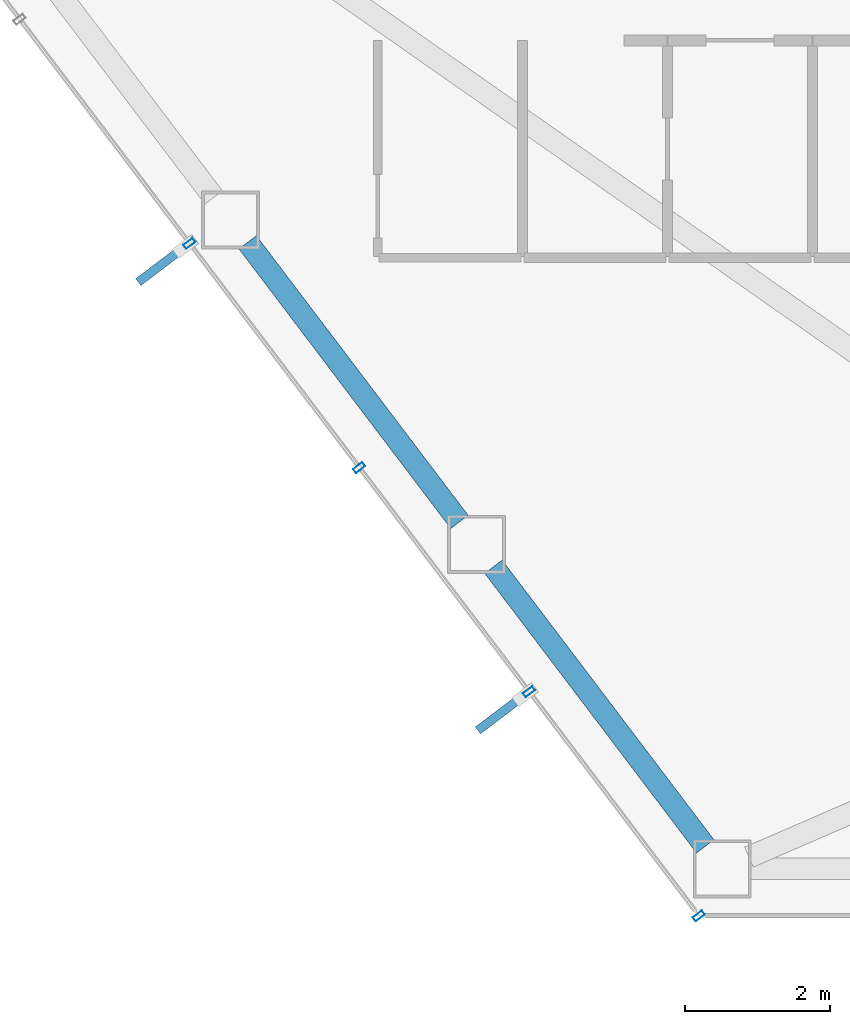
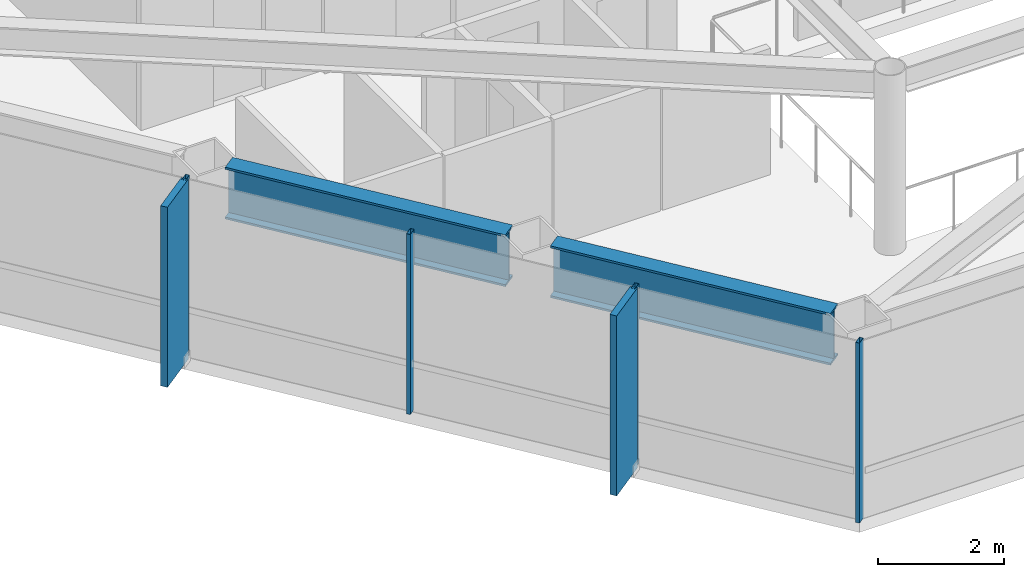
# One storey, part 2 of 28: 6 members, 2 beams, 1 element without a shape of its own.
"""IFC4 building model written with IfcOpenShell, lengths in metres."""

from ifc_helpers import new_model, si_unit, direction, frame, origin, origin_2d, place, context, subcontext, project, spatial, rectangle, hollow_rectangle, i_section, extrude, material, layer, layer_set, material_profile, profile_set, type_object, element, aggregate, save


model = new_model("IFC4")

# Units and contexts
model_context = context("Model", 3, precision=1e-05, world=origin(), true_north=direction((0.0, 1.0)))
body_context = subcontext(model_context, "Body", "Model", "MODEL_VIEW")
ifc_project = project(units=[si_unit("LENGTHUNIT", "METRE"), si_unit("AREAUNIT", "SQUARE_METRE"), si_unit("VOLUMEUNIT", "CUBIC_METRE"), si_unit("PLANEANGLEUNIT", "RADIAN"), si_unit("MASSUNIT", "GRAM", prefix="KILO")], contexts=[model_context])

# Site, building, storey
site_placement = place(None, origin())
site = spatial("IfcSite", under=ifc_project, at=site_placement, CompositionType="ELEMENT")
building_placement = place(site_placement, origin())
building = spatial("IfcBuilding", under=site, at=building_placement, Name="Zarrinselat Tower", CompositionType="ELEMENT")
storey_placement = place(building_placement, frame((0.0, 0.0, 127.159912109375)))
storey = spatial("IfcBuildingStorey", under=building, at=storey_placement, Name="L30", CompositionType="ELEMENT", Elevation=127.159912109375)

# Beams
ifc_material_1 = material(Name="Steel S460M", Category="steel")
ifc_material_profile_1 = material_profile(ifc_material_1, i_section(OverallWidth=0.302001953125, OverallDepth=1.008056640625, WebThickness=0.02099609375, FlangeThickness=0.0400390625, at=origin_2d()), Name="HEM 1000")
ifc_profile_set_1 = profile_set([ifc_material_profile_1], Name="Steel S460M")
beam_type = type_object("IfcBeamType", Name="BM-HEM1000", PredefinedType="BEAM", material=ifc_profile_set_1)
beam_1_placement = place(storey_placement, frame((23.354248046875, 27.36328125, 2.99609375), z_axis=(0.603873219646, -0.797080381514, 0.0), x_axis=(0.797080381514, 0.603873219646, 0.0)))
element("IfcBeam", 1, at=beam_1_placement, inside=storey, type_object=beam_type, Name="L30 Perimeter Spandrel Girder SP08", PredefinedType="BEAM", context=body_context, shape_type="SweptSolid", body=[
    extrude(i_section(OverallWidth=0.302001953125, OverallDepth=1.008056640625, WebThickness=0.02099609375, FlangeThickness=0.0400390625, at=origin_2d()), origin(), (0.0, 0.0, 1.0), 4.84228515625),
])
beam_2_placement = place(storey_placement, frame((26.746826171875, 22.885009765625, 2.99609375), z_axis=(0.603897488991, -0.79706199432, 0.0), x_axis=(0.79706199432, 0.603897488991, 0.0)))
element("IfcBeam", 2, at=beam_2_placement, inside=storey, type_object=beam_type, Name="L30 Perimeter Spandrel Girder SP09", PredefinedType="BEAM", context=body_context, shape_type="SweptSolid", body=[
    extrude(i_section(OverallWidth=0.302001953125, OverallDepth=1.008056640625, WebThickness=0.02099609375, FlangeThickness=0.0400390625, at=origin_2d()), origin(), (0.0, 0.0, 1.0), 4.842041015625),
])

# Curtain wall, members
ifc_material_2 = material(Name="Extruded Aluminium Alloy EN AW-6063 T6", Category="aluminium")
ifc_layer = layer(ifc_material_2, 0.175048828125)
ifc_layer_set = layer_set([ifc_layer], Name="Extruded Aluminium Alloy EN AW-6063 T6")
curtain_wall_type = type_object("IfcCurtainWallType", Name="CWS-HTL", PredefinedType="NOTDEFINED", material=ifc_layer_set)
curtain_wall_placement = place(storey_placement, origin())
curtain_wall = element("IfcCurtainWall", 3, at=curtain_wall_placement, inside=storey, type_object=curtain_wall_type, Name="L30 Unitised Curtain Wall CW-L30-E03", PredefinedType="NOTDEFINED")
ifc_material_3 = material(Name="Extruded Aluminium Alloy EN AW-6063 T6", Category="aluminium")
ifc_material_profile_2 = material_profile(ifc_material_3, hollow_rectangle(XDim=0.070068359375, YDim=0.159912109375, WallThickness=0.00390625, at=origin_2d()), Name="RHS 160x70x4")
ifc_profile_set_2 = profile_set([ifc_material_profile_2], Name="Extruded Aluminium Alloy EN AW-6063 T6")
member_type_1 = type_object("IfcMemberType", Name="MEM-CW-MUL2", PredefinedType="MULLION", material=ifc_profile_set_2)
member_1_placement = place(storey_placement, frame((22.55078125, 27.34765625, 0.0), z_axis=(0.0, 0.0, 1.0), x_axis=(0.603858349394, -0.797091647094, 0.0)))
member_1 = element("IfcMember", 4, at=member_1_placement, type_object=member_type_1, Name="CW-L30-E03 Mullion 3", PredefinedType="MULLION", context=body_context, shape_type="SweptSolid", body=[
    extrude(hollow_rectangle(XDim=0.070068359375, YDim=0.159912109375, WallThickness=0.00390625, at=origin_2d()), origin(), (0.0, 0.0, 1.0), 3.5),
])
member_2_placement = place(storey_placement, frame((24.89453125, 24.25390625, 0.0), z_axis=(0.0, 0.0, 1.0), x_axis=(0.603858349394, -0.797091647094, 0.0)))
member_2 = element("IfcMember", 5, at=member_2_placement, type_object=member_type_1, Name="CW-L30-E03 Mullion 4", PredefinedType="MULLION", context=body_context, shape_type="SweptSolid", body=[
    extrude(hollow_rectangle(XDim=0.070068359375, YDim=0.159912109375, WallThickness=0.00390625, at=origin_2d()), origin(), (0.0, 0.0, 1.0), 3.5),
])
member_3_placement = place(storey_placement, frame((27.23828125, 21.16015625, 0.0), z_axis=(0.0, 0.0, 1.0), x_axis=(0.603858349394, -0.797091647094, 0.0)))
member_3 = element("IfcMember", 6, at=member_3_placement, type_object=member_type_1, Name="CW-L30-E03 Mullion 5", PredefinedType="MULLION", context=body_context, shape_type="SweptSolid", body=[
    extrude(hollow_rectangle(XDim=0.070068359375, YDim=0.159912109375, WallThickness=0.00390625, at=origin_2d()), origin(), (0.0, 0.0, 1.0), 3.5),
])
member_4_placement = place(storey_placement, frame((29.58203125, 18.06640625, 0.0), z_axis=(0.0, 0.0, 1.0), x_axis=(0.603858349394, -0.797091647094, 0.0)))
member_4 = element("IfcMember", 7, at=member_4_placement, type_object=member_type_1, Name="CW-L30-E03 Mullion 6", PredefinedType="MULLION", context=body_context, shape_type="SweptSolid", body=[
    extrude(hollow_rectangle(XDim=0.070068359375, YDim=0.159912109375, WallThickness=0.00390625, at=origin_2d()), origin(), (0.0, 0.0, 1.0), 3.5),
])
ifc_material_4 = material(Name="Honed Cream Travertine Stone", Category="masonry")
ifc_material_profile_3 = material_profile(ifc_material_4, rectangle(XDim=0.1201171875, YDim=0.85009765625, at=origin_2d()), Name="FIN 850x120")
ifc_profile_set_3 = profile_set([ifc_material_profile_3], Name="Honed Cream Travertine Stone")
member_type_2 = type_object("IfcMemberType", Name="MEM-STONE-FIN", PredefinedType="USERDEFINED", material=ifc_profile_set_3)
member_5_placement = place(storey_placement, frame((22.18408203125, 27.06982421875, 0.0), z_axis=(0.0, 0.0, 1.0), x_axis=(-0.603858349394, 0.797091647094, 0.0)))
member_5 = element("IfcMember", 8, at=member_5_placement, type_object=member_type_2, Name="L30 Stone Shading Fin CW-L30-E03-03", ObjectType="FIN", PredefinedType="USERDEFINED", context=body_context, shape_type="SweptSolid", body=[
    extrude(rectangle(XDim=0.1201171875, YDim=0.85009765625, at=origin_2d()), origin(), (0.0, 0.0, 1.0), 3.5),
])
member_6_placement = place(storey_placement, frame((26.87158203125, 20.88232421875, 0.0), z_axis=(0.0, 0.0, 1.0), x_axis=(-0.603858349394, 0.797091647094, 0.0)))
member_6 = element("IfcMember", 9, at=member_6_placement, type_object=member_type_2, Name="L30 Stone Shading Fin CW-L30-E03-05", ObjectType="FIN", PredefinedType="USERDEFINED", context=body_context, shape_type="SweptSolid", body=[
    extrude(rectangle(XDim=0.1201171875, YDim=0.85009765625, at=origin_2d()), origin(), (0.0, 0.0, 1.0), 3.5),
])
aggregate(curtain_wall, [member_1, member_5, member_2, member_3, member_6, member_4])

save(model, "model.ifc")
